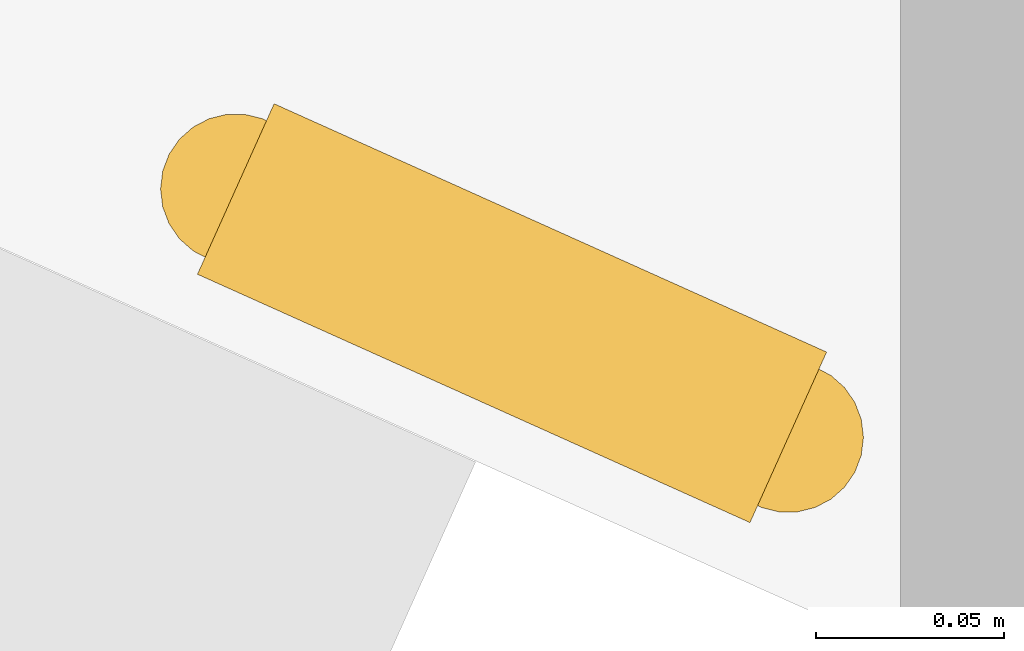
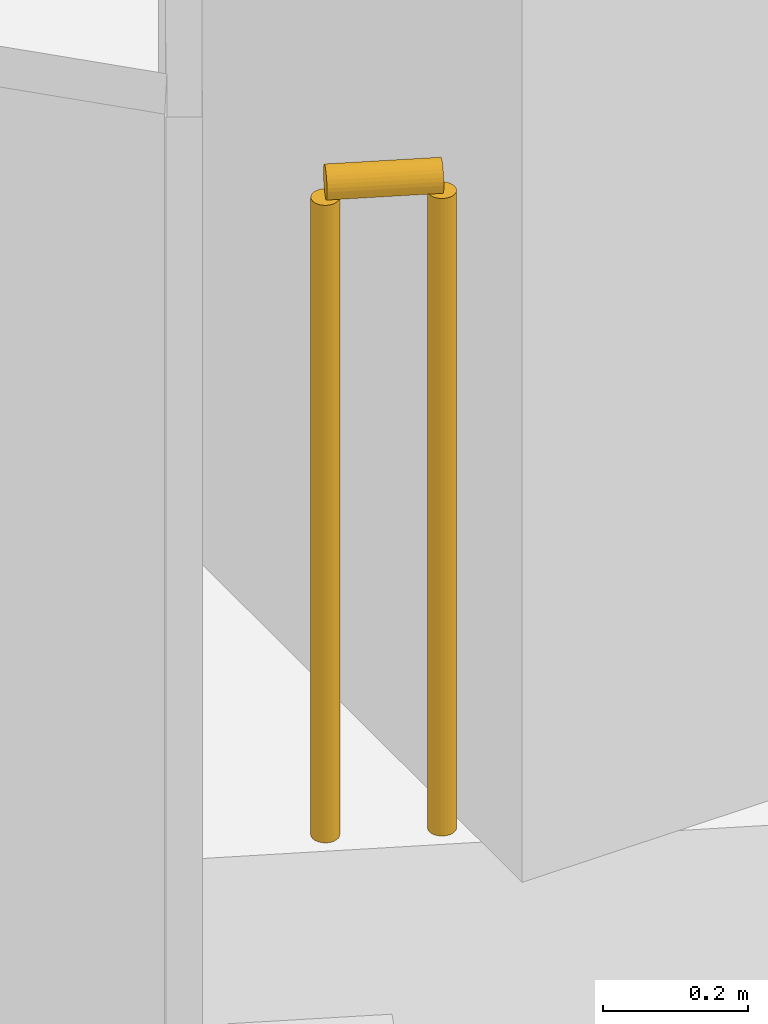
# One storey, part 31 of 34: 1 railing.
"""IFC4 building model written with IfcOpenShell, lengths in metres."""

from ifc_helpers import new_model, si_unit, direction, frame, origin, origin_2d, place, context, subcontext, project, spatial, circle, extrude, material, type_object, element, save


model = new_model("IFC4")

# Units and contexts
model_context = context("Model", 3, precision=1e-05, world=origin(), true_north=direction((0.0, 1.0)))
body_context = subcontext(model_context, "Body", "Model", "MODEL_VIEW")
ifc_project = project(units=[si_unit("LENGTHUNIT", "METRE"), si_unit("AREAUNIT", "SQUARE_METRE"), si_unit("VOLUMEUNIT", "CUBIC_METRE"), si_unit("PLANEANGLEUNIT", "RADIAN"), si_unit("MASSUNIT", "GRAM", prefix="KILO")], contexts=[model_context])

# Site, building, storey
site_placement = place(None, origin())
site = spatial("IfcSite", under=ifc_project, at=site_placement, CompositionType="ELEMENT")
building_placement = place(site_placement, origin())
building = spatial("IfcBuilding", under=site, at=building_placement, Name="Orlundy Tower", CompositionType="ELEMENT")
storey_placement = place(building_placement, frame((0.0, 0.0, 134.199951171875)))
storey = spatial("IfcBuildingStorey", under=building, at=storey_placement, Name="L34", CompositionType="ELEMENT", Elevation=134.199951171875)

# Railing
ifc_material = material(Name="Stainless steel bronze finish", Category="steel")
railing_type = type_object("IfcRailingType", Name="TG1 terrace guard", PredefinedType="GUARDRAIL", material=ifc_material)
railing_placement = place(storey_placement, frame((-34.001953125, -51.010498046875, 0.0)))
element("IfcRailing", 1, at=railing_placement, inside=storey, type_object=railing_type, Name="Guard TG-L34-E00", PredefinedType="GUARDRAIL", context=body_context, shape_type="SweptSolid", body=[
    extrude(circle(Radius=0.02490234375, at=origin_2d()), frame((0.0, 0.0, 1.09521484375), z_axis=(-0.912119519622, 0.409924361223, 0.0), x_axis=(-0.409924361223, -0.912119519622, 0.0)), (0.0, 0.0, 1.0), 0.161376953125),
    extrude(circle(Radius=0.02001953125, at=origin_2d()), origin(), (0.0, 0.0, 1.0), 1.070068359375),
    extrude(circle(Radius=0.02001953125, at=origin_2d()), frame((-0.147216796875, 0.066162109375, 0.0)), (0.0, 0.0, 1.0), 1.070068359375),
])

save(model, "model.ifc")
